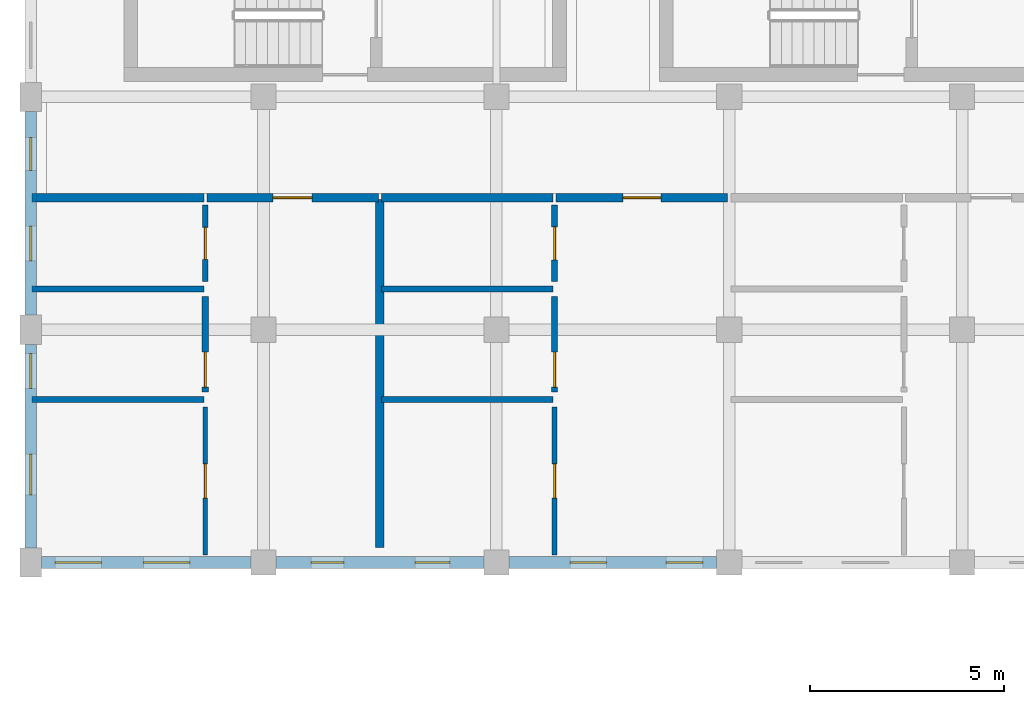
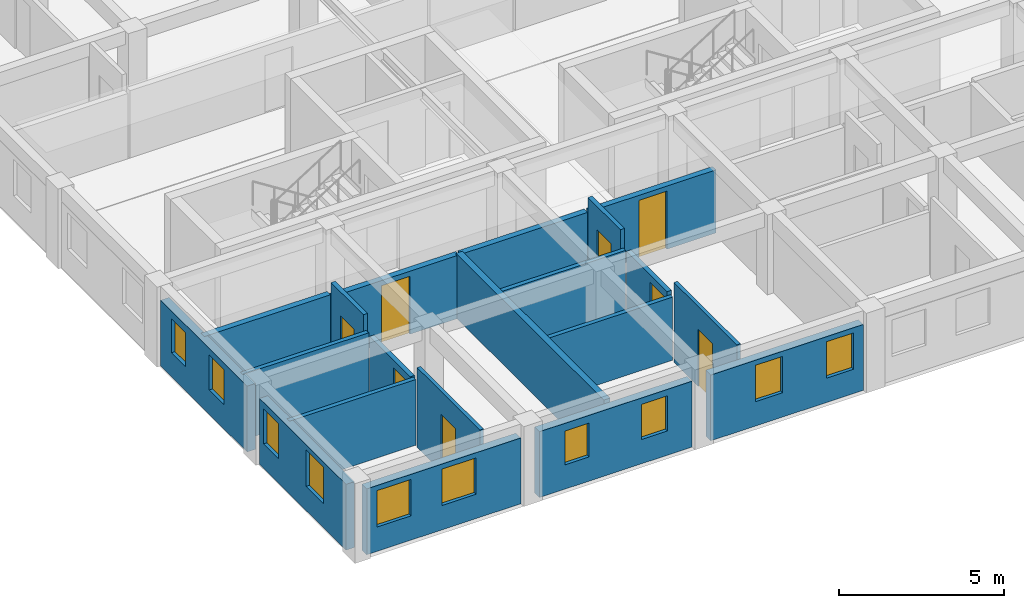
# One storey, part 74 of 123: 20 walls, 10 windows, 8 doors, 18 openings.
"""IFC4 building model written with IfcOpenShell, lengths in metres."""

from ifc_helpers import new_model, si_unit, direction, frame, frame_2d, origin, place, context, subcontext, project, spatial, rectangle, extrude, material, layer, layer_set, type_object, element, fill, save


model = new_model("IFC4")

# Units and contexts
model_context = context("Model", 3, precision=1e-05, world=origin(), true_north=direction((0.0, 1.0)))
body_context = subcontext(model_context, "Body", "Model", "MODEL_VIEW")
ifc_project = project(units=[si_unit("LENGTHUNIT", "METRE"), si_unit("AREAUNIT", "SQUARE_METRE"), si_unit("VOLUMEUNIT", "CUBIC_METRE"), si_unit("PLANEANGLEUNIT", "RADIAN"), si_unit("MASSUNIT", "GRAM", prefix="KILO"), si_unit("POWERUNIT", "WATT"), si_unit("THERMODYNAMICTEMPERATUREUNIT", "KELVIN")], contexts=[model_context])

# Site, building, storey
site_placement = place(None, origin())
site = spatial("IfcSite", under=ifc_project, at=site_placement, CompositionType="ELEMENT")
building_placement = place(site_placement, origin())
building = spatial("IfcBuilding", under=site, at=building_placement, Name="Ruvembo Vaulted Housing Court", CompositionType="ELEMENT")
storey_placement = place(building_placement, frame((0.0, 0.0, 7.699951171875)))
storey = spatial("IfcBuildingStorey", under=building, at=storey_placement, Name="L02", CompositionType="ELEMENT", Elevation=7.699951171875)

# Wall
ifc_material_1 = material(Name="Concrete Blockwork 210", Category="masonry")
ifc_layer_1 = layer(ifc_material_1, 0.2099609375, Name="Concrete Blockwork 210")
ifc_layer_set_1 = layer_set([ifc_layer_1], Name="Concrete Blockwork 210")
wall_type_1 = type_object("IfcWallType", Name="WL-CORR-210", PredefinedType="SOLIDWALL", material=ifc_layer_set_1)
wall_1_placement = place(storey_placement, frame((0.0400390625, 15.39990234375, 0.0), z_axis=(0.0, 0.0, 1.0), x_axis=(1.0, 0.0, 0.0)))
element("IfcWall", 1, at=wall_1_placement, inside=storey, type_object=wall_type_1, Name="L02 Flat A-L02-S1 Corridor Wall WL-INT-L02-00483", PredefinedType="SOLIDWALL", context=body_context, shape_type="SweptSolid", body=[
    extrude(rectangle(XDim=4.419921875, YDim=0.2099609375, at=frame_2d((2.2099609375, 0.0))), origin(), (0.0, 0.0, 1.0), 2.43701171875),
])

# Wall, opening, door
wall_2_placement = place(storey_placement, frame((4.5400390625, 15.39990234375, 0.0), z_axis=(0.0, 0.0, 1.0), x_axis=(1.0, 0.0, 0.0)))
wall_2 = element("IfcWall", 2, at=wall_2_placement, inside=storey, type_object=wall_type_1, Name="L02 Flat A-L02-S1 Entrance WL-INT-L02-00484", PredefinedType="SOLIDWALL", context=body_context, shape_type="SweptSolid", body=[
    extrude(rectangle(XDim=4.419921875, YDim=0.2099609375, at=frame_2d((2.2099609375, 0.0))), origin(), (0.0, 0.0, 1.0), 2.337158203125),
])
opening_1_placement = place(wall_2_placement, frame((1.7099609375, 0.0, 0.0)))
opening_1 = element("IfcOpeningElement", 3, at=opening_1_placement, cuts=wall_2, Name="Opening FD1", PredefinedType="OPENING", context=body_context, shape_type="SweptSolid", body=[
    extrude(rectangle(XDim=1.0, YDim=2.14990234375, at=frame_2d((0.5, 1.074951171875))), frame((0.0, 0.114990234375, 0.0), z_axis=(0.0, -1.0, 0.0), x_axis=(1.0, 0.0, 0.0)), (0.0, 0.0, 1.0), 0.22998046875),
])
ifc_material_2 = material(Name="FSC Hardwood and Engineered Timber", Category="wood")
door_type_1 = type_object("IfcDoorType", Name="DR-FLAT-1000x2150", OperationType="NOTDEFINED", PredefinedType="DOOR", material=ifc_material_2)
door_1_placement = place(opening_1_placement, origin())
door_1 = element("IfcDoor", 4, at=door_1_placement, inside=storey, type_object=door_type_1, Name="L02 Flat A-L02-S1 Entrance Door DR-INT-L02-00264", OperationType="SINGLE_SWING_RIGHT", OverallHeight=2.14990234375, OverallWidth=1.0, PredefinedType="DOOR", context=body_context, shape_type="SweptSolid", body=[
    extrude(rectangle(XDim=1.0, YDim=2.14990234375, at=frame_2d((0.5, 1.074951171875))), frame((0.0, 0.02490234375, 0.0), z_axis=(0.0, -1.0, 0.0), x_axis=(1.0, 0.0, 0.0)), (0.0, 0.0, 1.0), 0.050048828125),
])
fill(opening_1, door_1)

# Wall
wall_3_placement = place(storey_placement, frame((9.0400390625, 15.39990234375, 0.0), z_axis=(0.0, 0.0, 1.0), x_axis=(1.0, 0.0, 0.0)))
element("IfcWall", 5, at=wall_3_placement, inside=storey, type_object=wall_type_1, Name="L02 Flat A-L02-S2 Corridor Wall WL-INT-L02-00491", PredefinedType="SOLIDWALL", context=body_context, shape_type="SweptSolid", body=[
    extrude(rectangle(XDim=4.419921875, YDim=0.2099609375, at=frame_2d((2.2099609375, 0.0))), origin(), (0.0, 0.0, 1.0), 2.337158203125),
])

# Wall, opening, door
wall_4_placement = place(storey_placement, frame((13.5400390625, 15.39990234375, 0.0), z_axis=(0.0, 0.0, 1.0), x_axis=(1.0, 0.0, 0.0)))
wall_4 = element("IfcWall", 6, at=wall_4_placement, inside=storey, type_object=wall_type_1, Name="L02 Flat A-L02-S2 Entrance WL-INT-L02-00492", PredefinedType="SOLIDWALL", context=body_context, shape_type="SweptSolid", body=[
    extrude(rectangle(XDim=4.419921875, YDim=0.2099609375, at=frame_2d((2.2099609375, 0.0))), origin(), (0.0, 0.0, 1.0), 2.337158203125),
])
opening_2_placement = place(wall_4_placement, frame((1.719970703125, 0.0, 0.0)))
opening_2 = element("IfcOpeningElement", 7, at=opening_2_placement, cuts=wall_4, Name="Opening FD2", PredefinedType="OPENING", context=body_context, shape_type="SweptSolid", body=[
    extrude(rectangle(XDim=0.97998046875, YDim=2.14990234375, at=frame_2d((0.489990234375, 1.074951171875))), frame((0.0, 0.114990234375, 0.0), z_axis=(0.0, -1.0, 0.0), x_axis=(1.0, 0.0, 0.0)), (0.0, 0.0, 1.0), 0.22998046875),
])
door_type_2 = type_object("IfcDoorType", Name="DR-FLAT-0980x2150", OperationType="NOTDEFINED", PredefinedType="DOOR", material=ifc_material_2)
door_2_placement = place(opening_2_placement, origin())
door_2 = element("IfcDoor", 8, at=door_2_placement, inside=storey, type_object=door_type_2, Name="L02 Flat A-L02-S2 Entrance Door DR-INT-L02-00268", OperationType="SINGLE_SWING_RIGHT", OverallHeight=2.14990234375, OverallWidth=0.97998046875, PredefinedType="DOOR", context=body_context, shape_type="SweptSolid", body=[
    extrude(rectangle(XDim=0.97998046875, YDim=2.14990234375, at=frame_2d((0.489990234375, 1.074951171875))), frame((0.0, 0.02490234375, 0.0), z_axis=(0.0, -1.0, 0.0), x_axis=(1.0, 0.0, 0.0)), (0.0, 0.0, 1.0), 0.050048828125),
])
fill(opening_2, door_2)

# Wall
ifc_material_3 = material(Name="Acoustic Masonry Demising 220", Category="masonry")
ifc_layer_2 = layer(ifc_material_3, 0.219970703125, Name="Acoustic Masonry Demising 220")
ifc_layer_set_2 = layer_set([ifc_layer_2], Name="Acoustic Masonry Demising 220")
wall_type_2 = type_object("IfcWallType", Name="WL-DEM-200", PredefinedType="SOLIDWALL", material=ifc_layer_set_2)
wall_5_placement = place(storey_placement, frame((9.0, 6.389892578125, 0.0), z_axis=(0.0, 0.0, 1.0), x_axis=(0.0, 1.0, 0.0)))
element("IfcWall", 9, at=wall_5_placement, inside=storey, type_object=wall_type_2, Name="L02 Demising A-L02-S1 WL-INT-L02-00482", PredefinedType="SOLIDWALL", context=body_context, shape_type="SweptSolid", body=[
    extrude(rectangle(XDim=8.97021484375, YDim=0.219970703125, at=frame_2d((4.485107421875, 0.0))), origin(), (0.0, 0.0, 1.0), 2.386962890625),
])

# Wall, openings, windows
ifc_material_4 = material(Name="Rendered Masonry 300", Category="masonry")
ifc_layer_3 = layer(ifc_material_4, 0.300048828125, Name="Rendered Masonry 300")
ifc_layer_set_3 = layer_set([ifc_layer_3], Name="Rendered Masonry 300")
wall_type_3 = type_object("IfcWallType", Name="WL-EXT-300", PredefinedType="STANDARD", material=ifc_layer_set_3)
wall_6_placement = place(storey_placement, frame((0.27490234375, 6.0, 0.0), z_axis=(0.0, 0.0, 1.0), x_axis=(1.0, 0.0, 0.0)))
wall_6 = element("IfcWall", 10, at=wall_6_placement, inside=storey, type_object=wall_type_3, Name="Block A L02 Exterior Wall STREET #1", PredefinedType="STANDARD", context=body_context, shape_type="SweptSolid", body=[
    extrude(rectangle(XDim=5.400146484375, YDim=0.300048828125, at=frame_2d((2.7001953125, 0.0))), origin(), (0.0, 0.0, 1.0), 2.43701171875),
])
opening_3_placement = place(wall_6_placement, frame((0.35009765625, 0.0, 0.89990234375)))
opening_3 = element("IfcOpeningElement", 11, at=opening_3_placement, cuts=wall_6, Name="Opening W12", PredefinedType="OPENING", context=body_context, shape_type="SweptSolid", body=[
    extrude(rectangle(XDim=1.199951171875, YDim=1.35009765625, at=frame_2d((0.60009765625, 0.675048828125))), frame((0.0, 0.159912109375, 0.0), z_axis=(0.0, -1.0, 0.0), x_axis=(1.0, 0.0, 0.0)), (0.0, 0.0, 1.0), 0.320068359375),
])
opening_4_placement = place(wall_6_placement, frame((2.635009765625, 0.0, 0.89990234375)))
opening_4 = element("IfcOpeningElement", 12, at=opening_4_placement, cuts=wall_6, Name="Opening W12", PredefinedType="OPENING", context=body_context, shape_type="SweptSolid", body=[
    extrude(rectangle(XDim=1.199951171875, YDim=1.35009765625, at=frame_2d((0.60009765625, 0.675048828125))), frame((0.0, 0.159912109375, 0.0), z_axis=(0.0, -1.0, 0.0), x_axis=(1.0, 0.0, 0.0)), (0.0, 0.0, 1.0), 0.320068359375),
])
ifc_material_5 = material(Name="Double Solar-Control Glazing in Aluminium Frame", Category="aluminium")
window_type_1 = type_object("IfcWindowType", Name="WIN-1200x1350", PartitioningType="SINGLE_PANEL", PredefinedType="WINDOW", material=ifc_material_5)
window_1_placement = place(opening_3_placement, origin())
window_1 = element("IfcWindow", 13, at=window_1_placement, inside=storey, type_object=window_type_1, Name="Block A L02 Window #83", OverallHeight=1.35009765625, OverallWidth=1.199951171875, PartitioningType="SINGLE_PANEL", PredefinedType="WINDOW", context=body_context, shape_type="SweptSolid", body=[
    extrude(rectangle(XDim=1.199951171875, YDim=1.35009765625, at=frame_2d((0.60009765625, 0.675048828125))), frame((0.0, 0.030029296875, 0.0), z_axis=(0.0, -1.0, 0.0), x_axis=(1.0, 0.0, 0.0)), (0.0, 0.0, 1.0), 0.06005859375),
])
fill(opening_3, window_1)
window_2_placement = place(opening_4_placement, origin())
window_2 = element("IfcWindow", 14, at=window_2_placement, inside=storey, type_object=window_type_1, Name="Block A L02 Window #84", OverallHeight=1.35009765625, OverallWidth=1.199951171875, PartitioningType="SINGLE_PANEL", PredefinedType="WINDOW", context=body_context, shape_type="SweptSolid", body=[
    extrude(rectangle(XDim=1.199951171875, YDim=1.35009765625, at=frame_2d((0.60009765625, 0.675048828125))), frame((0.0, 0.030029296875, 0.0), z_axis=(0.0, -1.0, 0.0), x_axis=(1.0, 0.0, 0.0)), (0.0, 0.0, 1.0), 0.06005859375),
])
fill(opening_4, window_2)

wall_7_placement = place(storey_placement, frame((6.324951171875, 6.0, 0.0), z_axis=(0.0, 0.0, 1.0), x_axis=(1.0, 0.0, 0.0)))
wall_7 = element("IfcWall", 15, at=wall_7_placement, inside=storey, type_object=wall_type_3, Name="Block A L02 Exterior Wall STREET #2", PredefinedType="STANDARD", context=body_context, shape_type="SweptSolid", body=[
    extrude(rectangle(XDim=5.35009765625, YDim=0.300048828125, at=frame_2d((2.675048828125, 0.0))), origin(), (0.0, 0.0, 1.0), 2.43701171875),
])
opening_5_placement = place(wall_7_placement, frame((0.892578125, 0.0, 0.89990234375)))
opening_5 = element("IfcOpeningElement", 16, at=opening_5_placement, cuts=wall_7, Name="Opening W03", PredefinedType="OPENING", context=body_context, shape_type="SweptSolid", body=[
    extrude(rectangle(XDim=0.85009765625, YDim=1.25, at=frame_2d((0.425048828125, 0.625))), frame((0.0, 0.159912109375, 0.0), z_axis=(0.0, -1.0, 0.0), x_axis=(1.0, 0.0, 0.0)), (0.0, 0.0, 1.0), 0.320068359375),
])
opening_6_placement = place(wall_7_placement, frame((3.58251953125, 0.0, 0.89990234375)))
opening_6 = element("IfcOpeningElement", 17, at=opening_6_placement, cuts=wall_7, Name="Opening W04", PredefinedType="OPENING", context=body_context, shape_type="SweptSolid", body=[
    extrude(rectangle(XDim=0.89990234375, YDim=1.300048828125, at=frame_2d((0.449951171875, 0.64990234375))), frame((0.0, 0.159912109375, 0.0), z_axis=(0.0, -1.0, 0.0), x_axis=(1.0, 0.0, 0.0)), (0.0, 0.0, 1.0), 0.320068359375),
])
window_type_2 = type_object("IfcWindowType", Name="WIN-0850x1250", PartitioningType="SINGLE_PANEL", PredefinedType="WINDOW", material=ifc_material_5)
window_3_placement = place(opening_5_placement, origin())
window_3 = element("IfcWindow", 18, at=window_3_placement, inside=storey, type_object=window_type_2, Name="Block A L02 Window #85", OverallHeight=1.25, OverallWidth=0.85009765625, PartitioningType="SINGLE_PANEL", PredefinedType="WINDOW", context=body_context, shape_type="SweptSolid", body=[
    extrude(rectangle(XDim=0.85009765625, YDim=1.25, at=frame_2d((0.425048828125, 0.625))), frame((0.0, 0.030029296875, 0.0), z_axis=(0.0, -1.0, 0.0), x_axis=(1.0, 0.0, 0.0)), (0.0, 0.0, 1.0), 0.06005859375),
])
fill(opening_5, window_3)
window_type_3 = type_object("IfcWindowType", Name="WIN-0900x1300", PartitioningType="SINGLE_PANEL", PredefinedType="WINDOW", material=ifc_material_5)
window_4_placement = place(opening_6_placement, origin())
window_4 = element("IfcWindow", 19, at=window_4_placement, inside=storey, type_object=window_type_3, Name="Block A L02 Window #86", OverallHeight=1.300048828125, OverallWidth=0.89990234375, PartitioningType="SINGLE_PANEL", PredefinedType="WINDOW", context=body_context, shape_type="SweptSolid", body=[
    extrude(rectangle(XDim=0.89990234375, YDim=1.300048828125, at=frame_2d((0.449951171875, 0.64990234375))), frame((0.0, 0.030029296875, 0.0), z_axis=(0.0, -1.0, 0.0), x_axis=(1.0, 0.0, 0.0)), (0.0, 0.0, 1.0), 0.06005859375),
])
fill(opening_6, window_4)

wall_8_placement = place(storey_placement, frame((12.324951171875, 6.0, 0.0), z_axis=(0.0, 0.0, 1.0), x_axis=(1.0, 0.0, 0.0)))
wall_8 = element("IfcWall", 20, at=wall_8_placement, inside=storey, type_object=wall_type_3, Name="Block A L02 Exterior Wall STREET #3", PredefinedType="STANDARD", context=body_context, shape_type="SweptSolid", body=[
    extrude(rectangle(XDim=5.35009765625, YDim=0.300048828125, at=frame_2d((2.675048828125, 0.0))), origin(), (0.0, 0.0, 1.0), 2.43701171875),
])
opening_7_placement = place(wall_8_placement, frame((1.56494140625, 0.0, 0.89990234375)))
opening_7 = element("IfcOpeningElement", 21, at=opening_7_placement, cuts=wall_8, Name="Opening W07", PredefinedType="OPENING", context=body_context, shape_type="SweptSolid", body=[
    extrude(rectangle(XDim=0.949951171875, YDim=1.35009765625, at=frame_2d((0.47509765625, 0.675048828125))), frame((0.0, 0.159912109375, 0.0), z_axis=(0.0, -1.0, 0.0), x_axis=(1.0, 0.0, 0.0)), (0.0, 0.0, 1.0), 0.320068359375),
])
opening_8_placement = place(wall_8_placement, frame((4.050048828125, 0.0, 0.89990234375)))
opening_8 = element("IfcOpeningElement", 22, at=opening_8_placement, cuts=wall_8, Name="Opening W07", PredefinedType="OPENING", context=body_context, shape_type="SweptSolid", body=[
    extrude(rectangle(XDim=0.949951171875, YDim=1.35009765625, at=frame_2d((0.47509765625, 0.675048828125))), frame((0.0, 0.159912109375, 0.0), z_axis=(0.0, -1.0, 0.0), x_axis=(1.0, 0.0, 0.0)), (0.0, 0.0, 1.0), 0.320068359375),
])
window_type_4 = type_object("IfcWindowType", Name="WIN-0950x1350", PartitioningType="SINGLE_PANEL", PredefinedType="WINDOW", material=ifc_material_5)
window_5_placement = place(opening_7_placement, origin())
window_5 = element("IfcWindow", 23, at=window_5_placement, inside=storey, type_object=window_type_4, Name="Block A L02 Window #87", OverallHeight=1.35009765625, OverallWidth=0.949951171875, PartitioningType="SINGLE_PANEL", PredefinedType="WINDOW", context=body_context, shape_type="SweptSolid", body=[
    extrude(rectangle(XDim=0.949951171875, YDim=1.35009765625, at=frame_2d((0.47509765625, 0.675048828125))), frame((0.0, 0.030029296875, 0.0), z_axis=(0.0, -1.0, 0.0), x_axis=(1.0, 0.0, 0.0)), (0.0, 0.0, 1.0), 0.06005859375),
])
fill(opening_7, window_5)
window_6_placement = place(opening_8_placement, origin())
window_6 = element("IfcWindow", 24, at=window_6_placement, inside=storey, type_object=window_type_4, Name="Block A L02 Window #88", OverallHeight=1.35009765625, OverallWidth=0.949951171875, PartitioningType="SINGLE_PANEL", PredefinedType="WINDOW", context=body_context, shape_type="SweptSolid", body=[
    extrude(rectangle(XDim=0.949951171875, YDim=1.35009765625, at=frame_2d((0.47509765625, 0.675048828125))), frame((0.0, 0.030029296875, 0.0), z_axis=(0.0, -1.0, 0.0), x_axis=(1.0, 0.0, 0.0)), (0.0, 0.0, 1.0), 0.06005859375),
])
fill(opening_8, window_6)

wall_9_placement = place(storey_placement, frame((0.0, 17.625, 0.0), z_axis=(0.0, 0.0, 1.0), x_axis=(0.0, -1.0, 0.0)))
wall_9 = element("IfcWall", 25, at=wall_9_placement, inside=storey, type_object=wall_type_3, Name="Block A L02 Exterior Wall WEST #5", PredefinedType="STANDARD", context=body_context, shape_type="SweptSolid", body=[
    extrude(rectangle(XDim=5.25, YDim=0.300048828125, at=frame_2d((2.625, 0.0))), origin(), (0.0, 0.0, 1.0), 2.43701171875),
])
opening_9_placement = place(wall_9_placement, frame((0.66748046875, 0.0, 0.89990234375)))
opening_9 = element("IfcOpeningElement", 26, at=opening_9_placement, cuts=wall_9, Name="Opening W03", PredefinedType="OPENING", context=body_context, shape_type="SweptSolid", body=[
    extrude(rectangle(XDim=0.85009765625, YDim=1.25, at=frame_2d((0.425048828125, 0.625))), frame((0.0, 0.159912109375, 0.0), z_axis=(0.0, -1.0, 0.0), x_axis=(1.0, 0.0, 0.0)), (0.0, 0.0, 1.0), 0.320068359375),
])
opening_10_placement = place(wall_9_placement, frame((2.949951171875, 0.0, 0.89990234375)))
opening_10 = element("IfcOpeningElement", 27, at=opening_10_placement, cuts=wall_9, Name="Opening W04", PredefinedType="OPENING", context=body_context, shape_type="SweptSolid", body=[
    extrude(rectangle(XDim=0.89990234375, YDim=1.300048828125, at=frame_2d((0.449951171875, 0.64990234375))), frame((0.0, 0.159912109375, 0.0), z_axis=(0.0, -1.0, 0.0), x_axis=(1.0, 0.0, 0.0)), (0.0, 0.0, 1.0), 0.320068359375),
])
window_7_placement = place(opening_9_placement, origin())
window_7 = element("IfcWindow", 28, at=window_7_placement, inside=storey, type_object=window_type_2, Name="Block A L02 Window #121", OverallHeight=1.25, OverallWidth=0.85009765625, PartitioningType="SINGLE_PANEL", PredefinedType="WINDOW", context=body_context, shape_type="SweptSolid", body=[
    extrude(rectangle(XDim=0.85009765625, YDim=1.25, at=frame_2d((0.425048828125, 0.625))), frame((0.0, 0.030029296875, 0.0), z_axis=(0.0, -1.0, 0.0), x_axis=(1.0, 0.0, 0.0)), (0.0, 0.0, 1.0), 0.06005859375),
])
fill(opening_9, window_7)
window_8_placement = place(opening_10_placement, origin())
window_8 = element("IfcWindow", 29, at=window_8_placement, inside=storey, type_object=window_type_3, Name="Block A L02 Window #122", OverallHeight=1.300048828125, OverallWidth=0.89990234375, PartitioningType="SINGLE_PANEL", PredefinedType="WINDOW", context=body_context, shape_type="SweptSolid", body=[
    extrude(rectangle(XDim=0.89990234375, YDim=1.300048828125, at=frame_2d((0.449951171875, 0.64990234375))), frame((0.0, 0.030029296875, 0.0), z_axis=(0.0, -1.0, 0.0), x_axis=(1.0, 0.0, 0.0)), (0.0, 0.0, 1.0), 0.06005859375),
])
fill(opening_10, window_8)

wall_10_placement = place(storey_placement, frame((0.0, 11.625, 0.0), z_axis=(0.0, 0.0, 1.0), x_axis=(0.0, -1.0, 0.0)))
wall_10 = element("IfcWall", 30, at=wall_10_placement, inside=storey, type_object=wall_type_3, Name="Block A L02 Exterior Wall WEST #6", PredefinedType="STANDARD", context=body_context, shape_type="SweptSolid", body=[
    extrude(rectangle(XDim=5.25, YDim=0.300048828125, at=frame_2d((2.625, 0.0))), origin(), (0.0, 0.0, 1.0), 2.43701171875),
])
opening_11_placement = place(wall_10_placement, frame((0.242431640625, 0.0, 0.89990234375)))
opening_11 = element("IfcOpeningElement", 31, at=opening_11_placement, cuts=wall_10, Name="Opening W04", PredefinedType="OPENING", context=body_context, shape_type="SweptSolid", body=[
    extrude(rectangle(XDim=0.89990234375, YDim=1.300048828125, at=frame_2d((0.449951171875, 0.64990234375))), frame((0.0, 0.159912109375, 0.0), z_axis=(0.0, -1.0, 0.0), x_axis=(1.0, 0.0, 0.0)), (0.0, 0.0, 1.0), 0.320068359375),
])
opening_12_placement = place(wall_10_placement, frame((2.83251953125, 0.0, 0.89990234375)))
opening_12 = element("IfcOpeningElement", 32, at=opening_12_placement, cuts=wall_10, Name="Opening W09", PredefinedType="OPENING", context=body_context, shape_type="SweptSolid", body=[
    extrude(rectangle(XDim=1.050048828125, YDim=1.35009765625, at=frame_2d((0.52490234375, 0.675048828125))), frame((0.0, 0.159912109375, 0.0), z_axis=(0.0, -1.0, 0.0), x_axis=(1.0, 0.0, 0.0)), (0.0, 0.0, 1.0), 0.320068359375),
])
window_9_placement = place(opening_11_placement, origin())
window_9 = element("IfcWindow", 33, at=window_9_placement, inside=storey, type_object=window_type_3, Name="Block A L02 Window #123", OverallHeight=1.300048828125, OverallWidth=0.89990234375, PartitioningType="SINGLE_PANEL", PredefinedType="WINDOW", context=body_context, shape_type="SweptSolid", body=[
    extrude(rectangle(XDim=0.89990234375, YDim=1.300048828125, at=frame_2d((0.449951171875, 0.64990234375))), frame((0.0, 0.030029296875, 0.0), z_axis=(0.0, -1.0, 0.0), x_axis=(1.0, 0.0, 0.0)), (0.0, 0.0, 1.0), 0.06005859375),
])
fill(opening_11, window_9)
window_type_5 = type_object("IfcWindowType", Name="WIN-1050x1350", PartitioningType="SINGLE_PANEL", PredefinedType="WINDOW", material=ifc_material_5)
window_10_placement = place(opening_12_placement, origin())
window_10 = element("IfcWindow", 34, at=window_10_placement, inside=storey, type_object=window_type_5, Name="Block A L02 Window #124", OverallHeight=1.35009765625, OverallWidth=1.050048828125, PartitioningType="SINGLE_PANEL", PredefinedType="WINDOW", context=body_context, shape_type="SweptSolid", body=[
    extrude(rectangle(XDim=1.050048828125, YDim=1.35009765625, at=frame_2d((0.52490234375, 0.675048828125))), frame((0.0, 0.030029296875, 0.0), z_axis=(0.0, -1.0, 0.0), x_axis=(1.0, 0.0, 0.0)), (0.0, 0.0, 1.0), 0.06005859375),
])
fill(opening_12, window_10)

# Wall, opening, door
ifc_material_6 = material(Name="Plasterboard Stud Partition 125", Category="gypsum")
ifc_layer_4 = layer(ifc_material_6, 0.125, Name="Plasterboard Stud Partition 125")
ifc_layer_set_4 = layer_set([ifc_layer_4], Name="Plasterboard Stud Partition 125")
wall_type_4 = type_object("IfcWallType", Name="WL-PART-125", PredefinedType="PARTITIONING", material=ifc_layer_set_4)
wall_11_placement = place(storey_placement, frame((4.5, 6.18994140625, 0.0), z_axis=(0.0, 0.0, 1.0), x_axis=(0.0, 1.0, 0.0)))
wall_11 = element("IfcWall", 35, at=wall_11_placement, inside=storey, type_object=wall_type_4, Name="L02 Flat A-L02-S1 Bedroom 1 WL-INT-L02-00485", PredefinedType="PARTITIONING", context=body_context, shape_type="SweptSolid", body=[
    extrude(rectangle(XDim=3.820068359375, YDim=0.125, at=frame_2d((1.91015625, 0.0))), origin(), (0.0, 0.0, 1.0), 2.955078125),
])
opening_13_placement = place(wall_11_placement, frame((1.469970703125, 0.0, 0.0)))
opening_13 = element("IfcOpeningElement", 36, at=opening_13_placement, cuts=wall_11, Name="Opening ID3", PredefinedType="OPENING", context=body_context, shape_type="SweptSolid", body=[
    extrude(rectangle(XDim=0.8798828125, YDim=2.10009765625, at=frame_2d((0.43994140625, 1.050048828125))), frame((0.0, 0.072509765625, 0.0), z_axis=(0.0, -1.0, 0.0), x_axis=(1.0, 0.0, 0.0)), (0.0, 0.0, 1.0), 0.14501953125),
])
door_type_3 = type_object("IfcDoorType", Name="DR-ROOM-0880x2100", OperationType="NOTDEFINED", PredefinedType="DOOR", material=ifc_material_2)
door_3_placement = place(opening_13_placement, origin())
door_3 = element("IfcDoor", 37, at=door_3_placement, inside=storey, type_object=door_type_3, Name="L02 Flat A-L02-S1 Bedroom 1 Door DR-INT-L02-00265", OperationType="SINGLE_SWING_LEFT", OverallHeight=2.10009765625, OverallWidth=0.8798828125, PredefinedType="DOOR", context=body_context, shape_type="SweptSolid", body=[
    extrude(rectangle(XDim=0.8798828125, YDim=2.10009765625, at=frame_2d((0.43994140625, 1.050048828125))), frame((0.0, 0.02490234375, 0.0), z_axis=(0.0, -1.0, 0.0), x_axis=(1.0, 0.0, 0.0)), (0.0, 0.0, 1.0), 0.050048828125),
])
fill(opening_13, door_3)

wall_12_placement = place(storey_placement, frame((13.5, 6.18994140625, 0.0), z_axis=(0.0, 0.0, 1.0), x_axis=(0.0, 1.0, 0.0)))
wall_12 = element("IfcWall", 38, at=wall_12_placement, inside=storey, type_object=wall_type_4, Name="L02 Flat A-L02-S2 Bedroom 1 WL-INT-L02-00493", PredefinedType="PARTITIONING", context=body_context, shape_type="SweptSolid", body=[
    extrude(rectangle(XDim=3.820068359375, YDim=0.125, at=frame_2d((1.91015625, 0.0))), origin(), (0.0, 0.0, 1.0), 2.955078125),
])
opening_14_placement = place(wall_12_placement, frame((1.469970703125, 0.0, 0.0)))
opening_14 = element("IfcOpeningElement", 39, at=opening_14_placement, cuts=wall_12, Name="Opening ID3", PredefinedType="OPENING", context=body_context, shape_type="SweptSolid", body=[
    extrude(rectangle(XDim=0.8798828125, YDim=2.10009765625, at=frame_2d((0.43994140625, 1.050048828125))), frame((0.0, 0.072509765625, 0.0), z_axis=(0.0, -1.0, 0.0), x_axis=(1.0, 0.0, 0.0)), (0.0, 0.0, 1.0), 0.14501953125),
])
door_4_placement = place(opening_14_placement, origin())
door_4 = element("IfcDoor", 40, at=door_4_placement, inside=storey, type_object=door_type_3, Name="L02 Flat A-L02-S2 Bedroom 1 Door DR-INT-L02-00269", OperationType="SINGLE_SWING_LEFT", OverallHeight=2.10009765625, OverallWidth=0.8798828125, PredefinedType="DOOR", context=body_context, shape_type="SweptSolid", body=[
    extrude(rectangle(XDim=0.8798828125, YDim=2.10009765625, at=frame_2d((0.43994140625, 1.050048828125))), frame((0.0, 0.02490234375, 0.0), z_axis=(0.0, -1.0, 0.0), x_axis=(1.0, 0.0, 0.0)), (0.0, 0.0, 1.0), 0.050048828125),
])
fill(opening_14, door_4)

ifc_material_7 = material(Name="Moisture-Resistant Wet Partition 150", Category="gypsum")
ifc_layer_5 = layer(ifc_material_7, 0.14990234375, Name="Moisture-Resistant Wet Partition 150")
ifc_layer_set_5 = layer_set([ifc_layer_5], Name="Moisture-Resistant Wet Partition 150")
wall_type_5 = type_object("IfcWallType", Name="WL-PART-150", PredefinedType="PARTITIONING", material=ifc_layer_set_5)
wall_13_placement = place(storey_placement, frame((4.5, 13.239990234375, 0.0), z_axis=(0.0, 0.0, 1.0), x_axis=(0.0, 1.0, 0.0)))
wall_13 = element("IfcWall", 41, at=wall_13_placement, inside=storey, type_object=wall_type_5, Name="L02 Flat A-L02-S1 Bathroom WL-INT-L02-00487", PredefinedType="PARTITIONING", context=body_context, shape_type="SweptSolid", body=[
    extrude(rectangle(XDim=1.969970703125, YDim=0.14990234375, at=frame_2d((0.98486328125, 0.0))), origin(), (0.0, 0.0, 1.0), 2.955078125),
])
opening_15_placement = place(wall_13_placement, frame((0.574951171875, 0.0, 0.0)))
opening_15 = element("IfcOpeningElement", 42, at=opening_15_placement, cuts=wall_13, Name="Opening ID4", PredefinedType="OPENING", context=body_context, shape_type="SweptSolid", body=[
    extrude(rectangle(XDim=0.820068359375, YDim=2.080078125, at=frame_2d((0.41015625, 1.0400390625))), frame((0.0, 0.0849609375, 0.0), z_axis=(0.0, -1.0, 0.0), x_axis=(1.0, 0.0, 0.0)), (0.0, 0.0, 1.0), 0.169921875),
])
door_type_4 = type_object("IfcDoorType", Name="DR-WET-0820x2080", OperationType="NOTDEFINED", PredefinedType="DOOR", material=ifc_material_2)
door_5_placement = place(opening_15_placement, origin())
door_5 = element("IfcDoor", 43, at=door_5_placement, inside=storey, type_object=door_type_4, Name="L02 Flat A-L02-S1 Bathroom Door DR-INT-L02-00267", OperationType="SINGLE_SWING_LEFT", OverallHeight=2.080078125, OverallWidth=0.820068359375, PredefinedType="DOOR", context=body_context, shape_type="SweptSolid", body=[
    extrude(rectangle(XDim=0.820068359375, YDim=2.080078125, at=frame_2d((0.41015625, 1.0400390625))), frame((0.0, 0.02490234375, 0.0), z_axis=(0.0, -1.0, 0.0), x_axis=(1.0, 0.0, 0.0)), (0.0, 0.0, 1.0), 0.050048828125),
])
fill(opening_15, door_5)

# Walls
for number, where, z_axis, x_axis, name in (
    (44, (0.0400390625, 10.199951171875, 0.0), (0.0, 0.0, 1.0), (1.0, 0.0, 0.0), "L02 Flat A-L02-S1 Wet Wall 1 WL-INT-L02-00488"),
    (45, (0.0400390625, 13.050048828125, 0.0), (0.0, 0.0, 1.0), (1.0, 0.0, 0.0), "L02 Flat A-L02-S1 Wet Wall 2 WL-INT-L02-00489"),
):
    element("IfcWall", number, at=place(storey_placement, frame(where, z_axis=z_axis, x_axis=x_axis)), inside=storey, type_object=wall_type_5, Name=name, PredefinedType="PARTITIONING", context=body_context, shape_type="SweptSolid", body=[
        extrude(rectangle(XDim=4.419921875, YDim=0.14990234375, at=frame_2d((2.2099609375, 0.0))), origin(), (0.0, 0.0, 1.0), 2.43701171875),
    ])

# Wall, opening, door
wall_14_placement = place(storey_placement, frame((13.5, 13.239990234375, 0.0), z_axis=(0.0, 0.0, 1.0), x_axis=(0.0, 1.0, 0.0)))
wall_14 = element("IfcWall", 46, at=wall_14_placement, inside=storey, type_object=wall_type_5, Name="L02 Flat A-L02-S2 Bathroom WL-INT-L02-00495", PredefinedType="PARTITIONING", context=body_context, shape_type="SweptSolid", body=[
    extrude(rectangle(XDim=1.969970703125, YDim=0.14990234375, at=frame_2d((0.98486328125, 0.0))), origin(), (0.0, 0.0, 1.0), 2.955078125),
])
opening_16_placement = place(wall_14_placement, frame((0.56005859375, 0.0, 0.0)))
opening_16 = element("IfcOpeningElement", 47, at=opening_16_placement, cuts=wall_14, Name="Opening ID2", PredefinedType="OPENING", context=body_context, shape_type="SweptSolid", body=[
    extrude(rectangle(XDim=0.85009765625, YDim=2.10009765625, at=frame_2d((0.425048828125, 1.050048828125))), frame((0.0, 0.0849609375, 0.0), z_axis=(0.0, -1.0, 0.0), x_axis=(1.0, 0.0, 0.0)), (0.0, 0.0, 1.0), 0.169921875),
])
door_type_5 = type_object("IfcDoorType", Name="DR-WET-0850x2100", OperationType="NOTDEFINED", PredefinedType="DOOR", material=ifc_material_2)
door_6_placement = place(opening_16_placement, origin())
door_6 = element("IfcDoor", 48, at=door_6_placement, inside=storey, type_object=door_type_5, Name="L02 Flat A-L02-S2 Bathroom Door DR-INT-L02-00271", OperationType="SINGLE_SWING_LEFT", OverallHeight=2.10009765625, OverallWidth=0.85009765625, PredefinedType="DOOR", context=body_context, shape_type="SweptSolid", body=[
    extrude(rectangle(XDim=0.85009765625, YDim=2.10009765625, at=frame_2d((0.425048828125, 1.050048828125))), frame((0.0, 0.02490234375, 0.0), z_axis=(0.0, -1.0, 0.0), x_axis=(1.0, 0.0, 0.0)), (0.0, 0.0, 1.0), 0.050048828125),
])
fill(opening_16, door_6)

# Walls
for number, where, z_axis, x_axis, name in (
    (49, (9.0400390625, 10.199951171875, 0.0), (0.0, 0.0, 1.0), (1.0, 0.0, 0.0), "L02 Flat A-L02-S2 Wet Wall 1 WL-INT-L02-00496"),
    (50, (9.0400390625, 13.050048828125, 0.0), (0.0, 0.0, 1.0), (1.0, 0.0, 0.0), "L02 Flat A-L02-S2 Wet Wall 2 WL-INT-L02-00497"),
):
    element("IfcWall", number, at=place(storey_placement, frame(where, z_axis=z_axis, x_axis=x_axis)), inside=storey, type_object=wall_type_5, Name=name, PredefinedType="PARTITIONING", context=body_context, shape_type="SweptSolid", body=[
        extrude(rectangle(XDim=4.419921875, YDim=0.14990234375, at=frame_2d((2.2099609375, 0.0))), origin(), (0.0, 0.0, 1.0), 2.337158203125),
    ])

# Wall, opening, door
ifc_material_8 = material(Name="Acoustic Service Chase Wall 160", Category="gypsum")
ifc_layer_6 = layer(ifc_material_8, 0.159912109375, Name="Acoustic Service Chase Wall 160")
ifc_layer_set_6 = layer_set([ifc_layer_6], Name="Acoustic Service Chase Wall 160")
wall_type_6 = type_object("IfcWallType", Name="WL-PLUMB-160", PredefinedType="PLUMBINGWALL", material=ifc_layer_set_6)
wall_15_placement = place(storey_placement, frame((4.5, 10.389892578125, 0.0), z_axis=(0.0, 0.0, 1.0), x_axis=(0.0, 1.0, 0.0)))
wall_15 = element("IfcWall", 51, at=wall_15_placement, inside=storey, type_object=wall_type_6, Name="L02 Flat A-L02-S1 Kitchen WL-INT-L02-00486", PredefinedType="PLUMBINGWALL", context=body_context, shape_type="SweptSolid", body=[
    extrude(rectangle(XDim=2.47021484375, YDim=0.159912109375, at=frame_2d((1.235107421875, 0.0))), origin(), (0.0, 0.0, 1.0), 2.386962890625),
])
opening_17_placement = place(wall_15_placement, frame((0.1298828125, 0.0, 0.0)))
opening_17 = element("IfcOpeningElement", 52, at=opening_17_placement, cuts=wall_15, Name="Opening ID1", PredefinedType="OPENING", context=body_context, shape_type="SweptSolid", body=[
    extrude(rectangle(XDim=0.89990234375, YDim=2.10009765625, at=frame_2d((0.449951171875, 1.050048828125))), frame((0.0, 0.08984375, 0.0), z_axis=(0.0, -1.0, 0.0), x_axis=(1.0, 0.0, 0.0)), (0.0, 0.0, 1.0), 0.179931640625),
])
door_type_6 = type_object("IfcDoorType", Name="DR-ROOM-0900x2100", OperationType="NOTDEFINED", PredefinedType="DOOR", material=ifc_material_2)
door_7_placement = place(opening_17_placement, origin())
door_7 = element("IfcDoor", 53, at=door_7_placement, inside=storey, type_object=door_type_6, Name="L02 Flat A-L02-S1 Kitchen Door DR-INT-L02-00266", OperationType="SINGLE_SWING_RIGHT", OverallHeight=2.10009765625, OverallWidth=0.89990234375, PredefinedType="DOOR", context=body_context, shape_type="SweptSolid", body=[
    extrude(rectangle(XDim=0.89990234375, YDim=2.10009765625, at=frame_2d((0.449951171875, 1.050048828125))), frame((0.0, 0.02490234375, 0.0), z_axis=(0.0, -1.0, 0.0), x_axis=(1.0, 0.0, 0.0)), (0.0, 0.0, 1.0), 0.050048828125),
])
fill(opening_17, door_7)

wall_16_placement = place(storey_placement, frame((13.5, 10.389892578125, 0.0), z_axis=(0.0, 0.0, 1.0), x_axis=(0.0, 1.0, 0.0)))
wall_16 = element("IfcWall", 54, at=wall_16_placement, inside=storey, type_object=wall_type_6, Name="L02 Flat A-L02-S2 Kitchen WL-INT-L02-00494", PredefinedType="PLUMBINGWALL", context=body_context, shape_type="SweptSolid", body=[
    extrude(rectangle(XDim=2.47021484375, YDim=0.159912109375, at=frame_2d((1.235107421875, 0.0))), origin(), (0.0, 0.0, 1.0), 2.386962890625),
])
opening_18_placement = place(wall_16_placement, frame((0.1298828125, 0.0, 0.0)))
opening_18 = element("IfcOpeningElement", 55, at=opening_18_placement, cuts=wall_16, Name="Opening ID1", PredefinedType="OPENING", context=body_context, shape_type="SweptSolid", body=[
    extrude(rectangle(XDim=0.89990234375, YDim=2.10009765625, at=frame_2d((0.449951171875, 1.050048828125))), frame((0.0, 0.08984375, 0.0), z_axis=(0.0, -1.0, 0.0), x_axis=(1.0, 0.0, 0.0)), (0.0, 0.0, 1.0), 0.179931640625),
])
door_8_placement = place(opening_18_placement, origin())
door_8 = element("IfcDoor", 56, at=door_8_placement, inside=storey, type_object=door_type_6, Name="L02 Flat A-L02-S2 Kitchen Door DR-INT-L02-00270", OperationType="SINGLE_SWING_RIGHT", OverallHeight=2.10009765625, OverallWidth=0.89990234375, PredefinedType="DOOR", context=body_context, shape_type="SweptSolid", body=[
    extrude(rectangle(XDim=0.89990234375, YDim=2.10009765625, at=frame_2d((0.449951171875, 1.050048828125))), frame((0.0, 0.02490234375, 0.0), z_axis=(0.0, -1.0, 0.0), x_axis=(1.0, 0.0, 0.0)), (0.0, 0.0, 1.0), 0.050048828125),
])
fill(opening_18, door_8)

save(model, "model.ifc")
